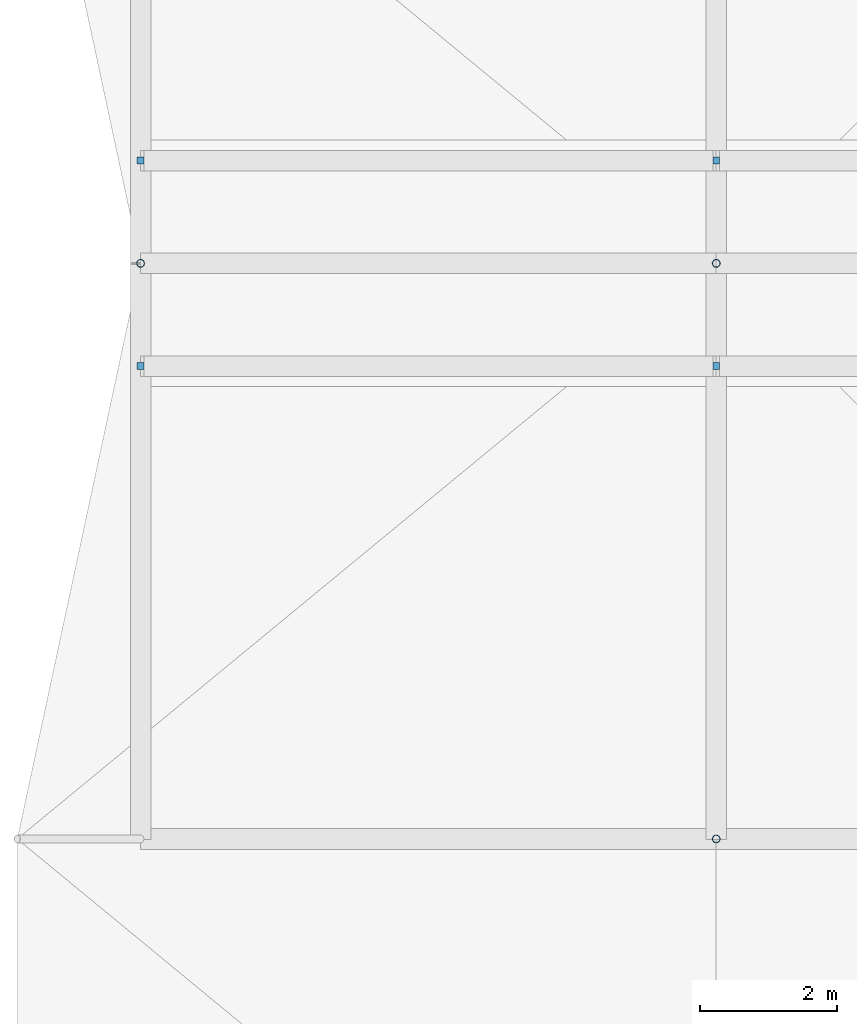
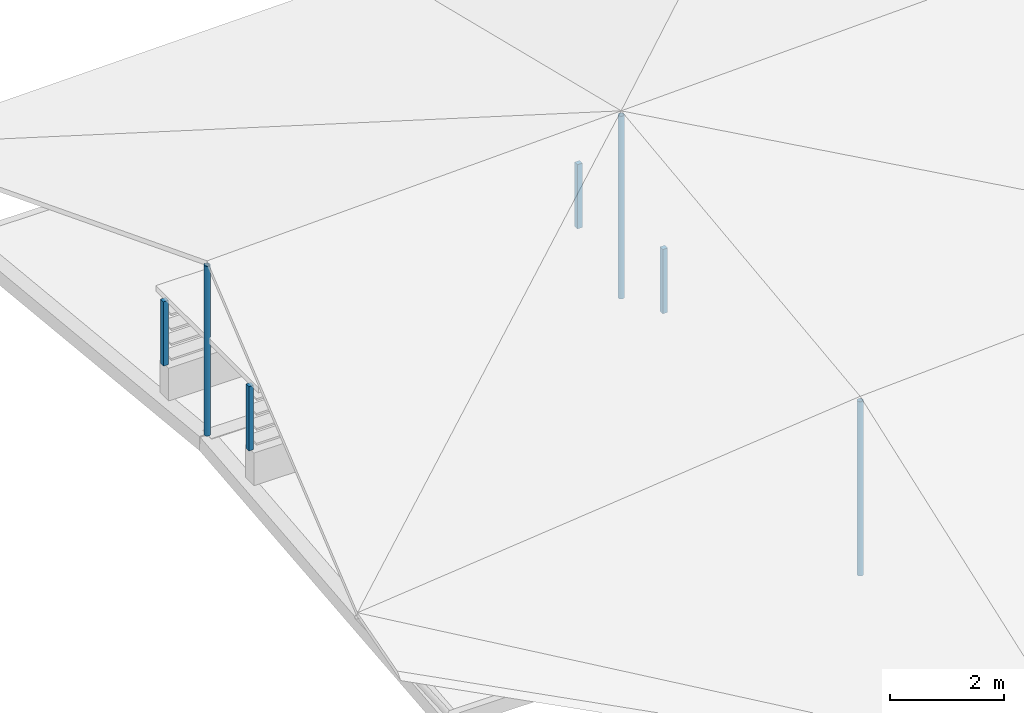
# One storey, part 24 of 46: 7 discrete accessories.
"""IFC4 building model written with IfcOpenShell, lengths in metres."""

from ifc_helpers import new_model, si_unit, direction, frame, origin, origin_2d, place, context, subcontext, project, spatial, rectangle, hollow_circle, extrude, material, layer, layer_set, material_profile, profile_set, type_object, element, save


model = new_model("IFC4")

# Units and contexts
model_context = context("Model", 3, precision=1e-05, world=origin(), true_north=direction((0.0, 1.0)))
body_context = subcontext(model_context, "Body", "Model", "MODEL_VIEW")
ifc_project = project(units=[si_unit("LENGTHUNIT", "METRE"), si_unit("AREAUNIT", "SQUARE_METRE"), si_unit("VOLUMEUNIT", "CUBIC_METRE"), si_unit("PLANEANGLEUNIT", "RADIAN"), si_unit("MASSUNIT", "GRAM", prefix="KILO")], contexts=[model_context])

# Site, building, storey
site_placement = place(None, origin())
site = spatial("IfcSite", under=ifc_project, at=site_placement, CompositionType="ELEMENT")
building_placement = place(site_placement, origin())
building = spatial("IfcBuilding", under=site, at=building_placement, Name="Rain Tree Exposition and Congress Centre", CompositionType="ELEMENT")
storey_placement = place(building_placement, frame((0.0, 0.0, 27.0)))
storey = spatial("IfcBuildingStorey", under=building, at=storey_placement, Name="ROOF VAULT CREST", CompositionType="ELEMENT", Elevation=27.0)

# Discrete accessories
ifc_material_1 = material(Name="Steel S355J2", Category="steel")
ifc_layer = layer(ifc_material_1, 0.10009765625)
ifc_layer_set = layer_set([ifc_layer], Name="Steel S355J2")
discrete_accessory_type_1 = type_object("IfcDiscreteAccessoryType", Name="Ridge lantern post 100", PredefinedType="BRACKET", material=ifc_layer_set)
for number, where, z_axis, x_axis, name in (
    (1, (142.800048828125, 174.89990234375, 2.0), (0.0, 0.0, 1.0), (1.0, 0.0, 0.0), "Lantern post SR1-0"),
    (2, (151.199951171875, 174.89990234375, 2.0), (0.0, 0.0, 1.0), (1.0, 0.0, 0.0), "Lantern post SR1-1"),
    (3, (142.800048828125, 177.89990234375, 2.0), (0.0, 0.0, 1.0), (1.0, 0.0, 0.0), "Lantern post NR1-0"),
    (4, (151.199951171875, 177.89990234375, 2.0), (0.0, 0.0, 1.0), (1.0, 0.0, 0.0), "Lantern post NR1-1"),
):
    element("IfcDiscreteAccessory", number, at=place(storey_placement, frame(where, z_axis=z_axis, x_axis=x_axis)), inside=storey, type_object=discrete_accessory_type_1, Name=name, PredefinedType="BRACKET", context=body_context, shape_type="SweptSolid", body=[
        extrude(rectangle(XDim=0.10009765625, YDim=0.10009765625, at=origin_2d()), origin(), (0.0, 0.0, 1.0), 1.3798828125),
    ])
ifc_material_2 = material(Name="Steel S355J2H", Category="steel")
ifc_material_profile = material_profile(ifc_material_2, hollow_circle(Radius=0.05712890625, WallThickness=0.00439453125, at=origin_2d()), Name="CHS 114x4.5")
ifc_profile_set = profile_set([ifc_material_profile], Name="Steel S355J2H")
discrete_accessory_type_2 = type_object("IfcDiscreteAccessoryType", Name="Roof skin post CHS 114x4.5", PredefinedType="BRACKET", material=ifc_profile_set)
discrete_accessory_1_placement = place(storey_placement, frame((151.199951171875, 168.0, 0.551025390625), z_axis=(0.0, 0.0, 1.0), x_axis=(1.0, 0.0, 0.0)))
element("IfcDiscreteAccessory", 5, at=discrete_accessory_1_placement, inside=storey, type_object=discrete_accessory_type_2, Name="Roof skin post B106", PredefinedType="BRACKET", context=body_context, shape_type="SweptSolid", body=[
    extrude(hollow_circle(Radius=0.05712890625, WallThickness=0.00439453125, at=origin_2d()), origin(), (0.0, 0.0, 1.0), 3.739013671875),
])
discrete_accessory_2_placement = place(storey_placement, frame((142.800048828125, 176.39990234375, 1.39990234375), z_axis=(0.0, 0.0, 1.0), x_axis=(1.0, 0.0, 0.0)))
element("IfcDiscreteAccessory", 6, at=discrete_accessory_2_placement, inside=storey, type_object=discrete_accessory_type_2, Name="Roof skin post B118", PredefinedType="BRACKET", context=body_context, shape_type="SweptSolid", body=[
    extrude(hollow_circle(Radius=0.05712890625, WallThickness=0.00439453125, at=origin_2d()), origin(), (0.0, 0.0, 1.0), 3.64306640625),
])
discrete_accessory_3_placement = place(storey_placement, frame((151.199951171875, 176.39990234375, 1.39990234375), z_axis=(0.0, 0.0, 1.0), x_axis=(1.0, 0.0, 0.0)))
element("IfcDiscreteAccessory", 7, at=discrete_accessory_3_placement, inside=storey, type_object=discrete_accessory_type_2, Name="Roof skin post B119", PredefinedType="BRACKET", context=body_context, shape_type="SweptSolid", body=[
    extrude(hollow_circle(Radius=0.05712890625, WallThickness=0.00439453125, at=origin_2d()), origin(), (0.0, 0.0, 1.0), 3.920166015625),
])

save(model, "model.ifc")
